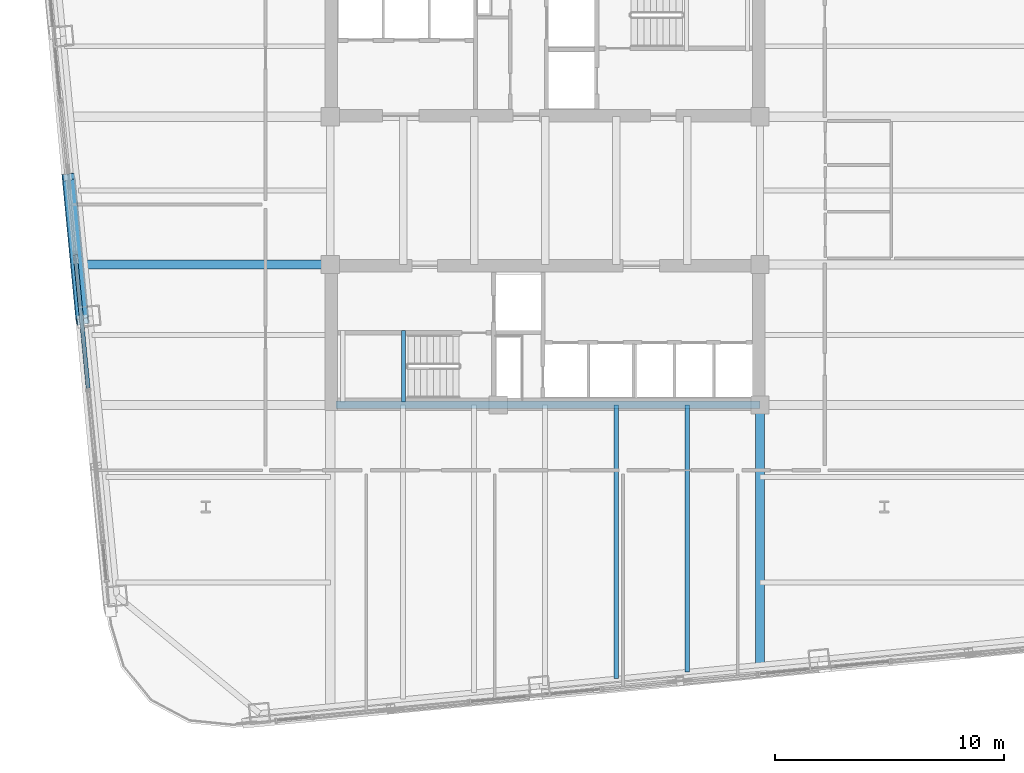
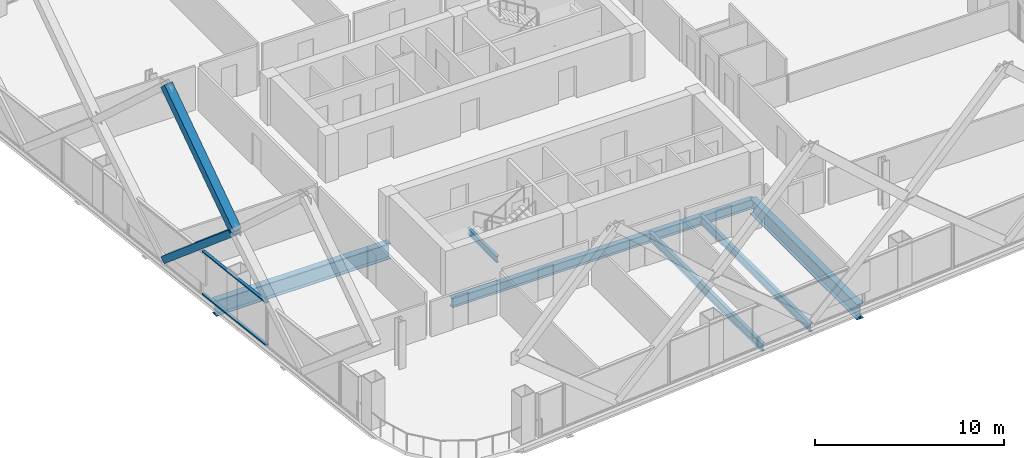
# One storey, part 8 of 32: 6 beams, 4 members, 1 element without a shape of its own.
"""IFC4 building model written with IfcOpenShell, lengths in metres."""

from ifc_helpers import new_model, si_unit, direction, frame, origin, origin_2d, place, context, subcontext, project, spatial, hollow_rectangle, i_section, extrude, material, layer, layer_set, material_profile, profile_set, type_object, element, aggregate, save


model = new_model("IFC4")

# Units and contexts
model_context = context("Model", 3, precision=1e-05, world=origin(), true_north=direction((0.0, 1.0)))
body_context = subcontext(model_context, "Body", "Model", "MODEL_VIEW")
ifc_project = project(units=[si_unit("LENGTHUNIT", "METRE"), si_unit("AREAUNIT", "SQUARE_METRE"), si_unit("VOLUMEUNIT", "CUBIC_METRE"), si_unit("PLANEANGLEUNIT", "RADIAN"), si_unit("MASSUNIT", "GRAM", prefix="KILO")], contexts=[model_context])

# Site, building, storey
site_placement = place(None, origin())
site = spatial("IfcSite", under=ifc_project, at=site_placement, CompositionType="ELEMENT")
building_placement = place(site_placement, origin())
building = spatial("IfcBuilding", under=site, at=building_placement, Name="Qhalaya Broadcast Tower", CompositionType="ELEMENT")
storey_placement = place(building_placement, frame((0.0, 0.0, 81.64990234375)))
storey = spatial("IfcBuildingStorey", under=building, at=storey_placement, Name="L23", CompositionType="ELEMENT", Elevation=81.64990234375)

# Beams
ifc_material_1 = material(Name="Structural Steel ASTM A992 Grade 50", Category="steel")
ifc_material_profile_1 = material_profile(ifc_material_1, i_section(OverallWidth=0.2099609375, OverallDepth=0.535888671875, WebThickness=0.010986328125, FlangeThickness=0.017333984375, at=origin_2d()), Name="W21X68")
ifc_profile_set_1 = profile_set([ifc_material_profile_1], Name="Structural Steel ASTM A992 Grade 50")
beam_type_1 = type_object("IfcBeamType", Name="Composite Floor Joist J02", PredefinedType="JOIST", material=ifc_profile_set_1)
beam_1_placement = place(storey_placement, frame((3.10009765625, -20.693603515625, -0.48779296875), z_axis=(0.0, 1.0, 0.0), x_axis=(-1.0, 0.0, 0.0)))
element("IfcBeam", 1, at=beam_1_placement, inside=storey, type_object=beam_type_1, Name="L23 J02 L23-JNS4-1", PredefinedType="JOIST", context=body_context, shape_type="SweptSolid", body=[
    extrude(i_section(OverallWidth=0.2099609375, OverallDepth=0.535888671875, WebThickness=0.010986328125, FlangeThickness=0.017333984375, at=origin_2d()), origin(), (0.0, 0.0, 1.0), 11.943603515625),
])
beam_2_placement = place(storey_placement, frame((6.199951171875, -20.395263671875, -0.48779296875), z_axis=(0.0, 1.0, 0.0), x_axis=(-1.0, 0.0, 0.0)))
element("IfcBeam", 2, at=beam_2_placement, inside=storey, type_object=beam_type_1, Name="L23 J02 L23-JNS5-1", PredefinedType="JOIST", context=body_context, shape_type="SweptSolid", body=[
    extrude(i_section(OverallWidth=0.2099609375, OverallDepth=0.535888671875, WebThickness=0.010986328125, FlangeThickness=0.017333984375, at=origin_2d()), origin(), (0.0, 0.0, 1.0), 11.645263671875),
])
ifc_material_profile_2 = material_profile(ifc_material_1, i_section(OverallWidth=0.323974609375, OverallDepth=0.612060546875, WebThickness=0.0126953125, FlangeThickness=0.01904296875, at=origin_2d()), Name="W24X104")
ifc_profile_set_2 = profile_set([ifc_material_profile_2], Name="Structural Steel ASTM A992 Grade 50")
beam_type_2 = type_object("IfcBeamType", Name="Core Frame Tie Beam B04", PredefinedType="BEAM", material=ifc_profile_set_2)
beam_3_placement = place(storey_placement, frame((-9.1201171875, -8.75, -0.52587890625), z_axis=(1.0, 0.0, 0.0), x_axis=(0.0, 1.0, 0.0)))
element("IfcBeam", 3, at=beam_3_placement, inside=storey, type_object=beam_type_2, Name="L23 B04 L23-CCS3", PredefinedType="BEAM", context=body_context, shape_type="SweptSolid", body=[
    extrude(i_section(OverallWidth=0.323974609375, OverallDepth=0.612060546875, WebThickness=0.0126953125, FlangeThickness=0.01904296875, at=origin_2d()), origin(), (0.0, 0.0, 1.0), 18.4951171875),
])

# Members
ifc_material_2 = material(Name="Structural Steel ASTM A572 Grade 50", Category="steel")
ifc_material_profile_3 = material_profile(ifc_material_2, hollow_rectangle(XDim=0.419921875, YDim=0.550048828125, WallThickness=0.028076171875, at=origin_2d()), Name="BOX 420x550x28")
ifc_profile_set_3 = profile_set([ifc_material_profile_3], Name="Structural Steel ASTM A572 Grade 50")
member_type_1 = type_object("IfcMemberType", Name="Exoskeleton Diamond Diagonal Mid-Low EX2", PredefinedType="BRACE", material=ifc_profile_set_3)
member_1_placement = place(storey_placement, frame((-20.78759765625, 1.197509765625, 0.360107421875), z_axis=(0.073066636585, -0.758635580976, 0.647405067864), x_axis=(-0.157184996454, 0.632267567763, 0.758637330775)))
element("IfcMember", 4, at=member_1_placement, inside=storey, type_object=member_type_1, Name="B2 Exoskeleton Diamond Brace W2-D2", PredefinedType="BRACE", context=body_context, shape_type="SweptSolid", body=[
    extrude(hollow_rectangle(XDim=0.419921875, YDim=0.550048828125, WallThickness=0.028076171875, at=origin_2d()), origin(), (0.0, 0.0, 1.0), 8.309814453125),
])
member_2_placement = place(storey_placement, frame((-20.180419921875, -5.106689453125, 5.739990234375), z_axis=(-0.070368182799, 0.730618100613, 0.6791505797), x_axis=(0.160214414414, -0.663721379818, 0.730619785789)))
element("IfcMember", 5, at=member_2_placement, inside=storey, type_object=member_type_1, Name="B2 Exoskeleton Diamond Brace W2-D4", PredefinedType="BRACE", context=body_context, shape_type="SweptSolid", body=[
    extrude(hollow_rectangle(XDim=0.419921875, YDim=0.550048828125, WallThickness=0.028076171875, at=origin_2d()), origin(), (0.0, 0.0, 1.0), 8.628662109375),
])

# Beams
ifc_material_profile_4 = material_profile(ifc_material_1, i_section(OverallWidth=0.40087890625, OverallDepth=1.010986328125, WebThickness=0.023681640625, FlangeThickness=0.0419921875, at=origin_2d()), Name="W40X297")
ifc_profile_set_4 = profile_set([ifc_material_profile_4], Name="Structural Steel ASTM A992 Grade 50")
beam_type_3 = type_object("IfcBeamType", Name="Lower Block Primary Girder PG2", PredefinedType="USERDEFINED", material=ifc_profile_set_4)
beam_4_placement = place(storey_placement, frame((9.375, -20.089599609375, -0.725341796875), z_axis=(0.0, 1.0, 0.0), x_axis=(-1.0, 0.0, 0.0)))
element("IfcBeam", 6, at=beam_4_placement, inside=storey, type_object=beam_type_3, Name="L23 PG2 L23-PGXS2-1", ObjectType="GIRDER", PredefinedType="USERDEFINED", context=body_context, shape_type="SweptSolid", body=[
    extrude(i_section(OverallWidth=0.40087890625, OverallDepth=1.010986328125, WebThickness=0.023681640625, FlangeThickness=0.0419921875, at=origin_2d()), origin(), (0.0, 0.0, 1.0), 11.339599609375),
])
beam_5_placement = place(storey_placement, frame((-20.057861328125, -2.625, -0.725341796875), z_axis=(1.0, 0.0, 0.0), x_axis=(0.0, 1.0, 0.0)))
element("IfcBeam", 7, at=beam_5_placement, inside=storey, type_object=beam_type_3, Name="L23 PG2 L23-PGYW2-1", ObjectType="GIRDER", PredefinedType="USERDEFINED", context=body_context, shape_type="SweptSolid", body=[
    extrude(i_section(OverallWidth=0.40087890625, OverallDepth=1.010986328125, WebThickness=0.023681640625, FlangeThickness=0.0419921875, at=origin_2d()), origin(), (0.0, 0.0, 1.0), 10.682861328125),
])

# Curtain wall, members
ifc_material_3 = material(Name="Solar-Control Low-E Triple Glazing", Category="glass")
ifc_layer = layer(ifc_material_3, 0.219970703125, Name="Solar-Control Low-E Triple Glazing")
ifc_layer_set = layer_set([ifc_layer], Name="Solar-Control Low-E Triple Glazing")
curtain_wall_type = type_object("IfcCurtainWallType", Name="Even-Block 4-Storey Double-Module Curtain Wall CW-03", PredefinedType="NOTDEFINED", material=ifc_layer_set)
curtain_wall_placement = place(storey_placement, origin())
curtain_wall = element("IfcCurtainWall", 8, at=curtain_wall_placement, inside=storey, type_object=curtain_wall_type, Name="L23 Unitised Curtain Wall L23-CW-W5", PredefinedType="NOTDEFINED")
ifc_material_4 = material(Name="Anodised Aluminium 6063-T6", Category="aluminium")
ifc_material_profile_5 = material_profile(ifc_material_4, hollow_rectangle(XDim=0.074951171875, YDim=0.179931640625, WallThickness=0.00390625, at=origin_2d()), Name="ALU-TRN 75x180x4")
ifc_profile_set_5 = profile_set([ifc_material_profile_5], Name="Anodised Aluminium 6063-T6")
member_type_2 = type_object("IfcMemberType", Name="Unitised Curtain-Wall Transom T01", PredefinedType="USERDEFINED", material=ifc_profile_set_5)
member_3_placement = place(storey_placement, frame((-20.500732421875, -2.196533203125, 0.03759765625), z_axis=(0.095836372519, -0.995397101514, 0.0), x_axis=(0.0, 0.0, 1.0)))
member_3 = element("IfcMember", 9, at=member_3_placement, type_object=member_type_2, Name="CW-03 transom 1.1", ObjectType="TRANSOM", PredefinedType="USERDEFINED", context=body_context, shape_type="SweptSolid", body=[
    extrude(hollow_rectangle(XDim=0.074951171875, YDim=0.179931640625, WallThickness=0.00390625, at=origin_2d()), origin(), (0.0, 0.0, 1.0), 5.85400390625),
])
member_4_placement = place(storey_placement, frame((-20.500732421875, -2.196533203125, 2.79248046875), z_axis=(0.095836372519, -0.995397101514, 0.0), x_axis=(0.0, 0.0, 1.0)))
member_4 = element("IfcMember", 10, at=member_4_placement, type_object=member_type_2, Name="CW-03 transom 1.2", ObjectType="TRANSOM", PredefinedType="USERDEFINED", context=body_context, shape_type="SweptSolid", body=[
    extrude(hollow_rectangle(XDim=0.074951171875, YDim=0.179931640625, WallThickness=0.00390625, at=origin_2d()), origin(), (0.0, 0.0, 1.0), 5.85400390625),
])
aggregate(curtain_wall, [member_3, member_4])

# Beam
ifc_material_profile_6 = material_profile(ifc_material_1, i_section(OverallWidth=0.177978515625, OverallDepth=0.406005859375, WebThickness=0.0078125, FlangeThickness=0.0126953125, at=origin_2d()), Name="W16X40")
ifc_profile_set_6 = profile_set([ifc_material_profile_6], Name="Structural Steel ASTM A992 Grade 50")
beam_type_4 = type_object("IfcBeamType", Name="Upper Perimeter Spandrel Beam SP2", PredefinedType="SPANDREL", material=ifc_profile_set_6)
beam_6_placement = place(storey_placement, frame((-6.175048828125, -8.6201171875, 1.1220703125), z_axis=(0.0, 1.0, 0.0), x_axis=(-1.0, 0.0, 0.0)))
element("IfcBeam", 11, at=beam_6_placement, inside=storey, type_object=beam_type_4, Name="L23 ST-2 Half-Landing Bearer Beam 2", PredefinedType="SPANDREL", context=body_context, shape_type="SweptSolid", body=[
    extrude(i_section(OverallWidth=0.177978515625, OverallDepth=0.406005859375, WebThickness=0.0078125, FlangeThickness=0.0126953125, at=origin_2d()), origin(), (0.0, 0.0, 1.0), 3.1201171875),
])

save(model, "model.ifc")
